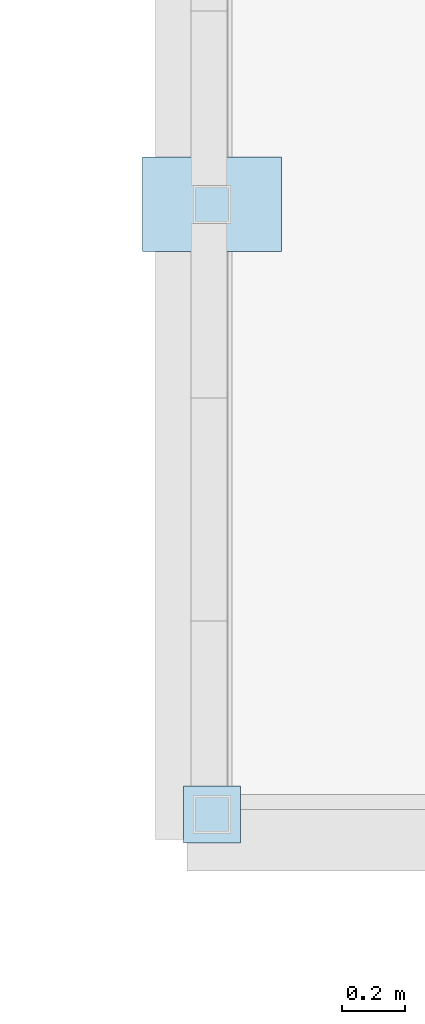
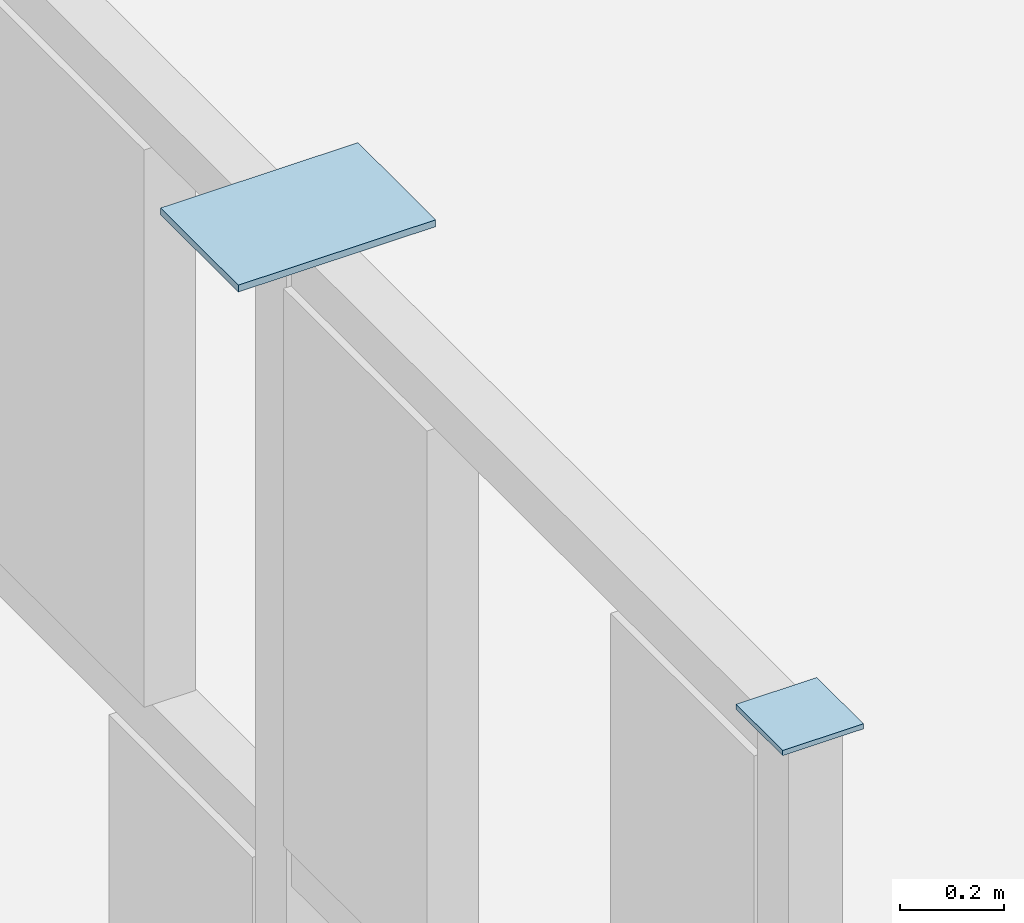
# One storey, part 94 of 138: 2 plates.
"""IFC4 building model written with IfcOpenShell, lengths in metres."""

from ifc_helpers import new_model, si_unit, direction, frame, origin, origin_2d, place, context, subcontext, project, spatial, rectangle, extrude, material, layer, layer_set, type_object, element, save


model = new_model("IFC4")

# Units and contexts
model_context = context("Model", 3, precision=1e-05, world=origin(), true_north=direction((0.0, 1.0)))
body_context = subcontext(model_context, "Body", "Model", "MODEL_VIEW")
ifc_project = project(units=[si_unit("LENGTHUNIT", "METRE"), si_unit("AREAUNIT", "SQUARE_METRE"), si_unit("VOLUMEUNIT", "CUBIC_METRE"), si_unit("PLANEANGLEUNIT", "RADIAN"), si_unit("MASSUNIT", "GRAM", prefix="KILO")], contexts=[model_context])

# Site, building, storey
site_placement = place(None, origin())
site = spatial("IfcSite", under=ifc_project, at=site_placement, CompositionType="ELEMENT")
building_placement = place(site_placement, origin())
building = spatial("IfcBuilding", under=site, at=building_placement, Name="Celorna Specialist Clinic", CompositionType="ELEMENT")
storey_placement = place(building_placement, frame((0.0, 0.0, 4.800048828125)))
storey = spatial("IfcBuildingStorey", under=building, at=storey_placement, Name="L01", CompositionType="ELEMENT", Elevation=4.800048828125)

# Plates
ifc_material = material(Name="Steel S355", Category="steel")
ifc_layer_1 = layer(ifc_material, 0.011962890625, Name="Steel S355")
ifc_layer_set_1 = layer_set([ifc_layer_1], Name="Steel S355")
plate_type_1 = type_object("IfcPlateType", Name="EP-06", PredefinedType="SHEET", material=ifc_layer_set_1)
plate_1_placement = place(storey_placement, frame((124.8798828125, 60.080078125, 4.33984375), z_axis=(0.0, 0.0, 1.0), x_axis=(0.0, 1.0, 0.0)))
element("IfcPlate", 1, at=plate_1_placement, inside=storey, type_object=plate_type_1, Name="Screen post cap plate EP-06 #1899", PredefinedType="SHEET", context=body_context, shape_type="SweptSolid", body=[
    extrude(rectangle(XDim=0.179931640625, YDim=0.179931640625, at=origin_2d()), origin(), (0.0, 0.0, 1.0), 0.011962890625),
])
ifc_layer_2 = layer(ifc_material, 0.01611328125, Name="Steel S355")
ifc_layer_set_2 = layer_set([ifc_layer_2], Name="Steel S355")
plate_type_2 = type_object("IfcPlateType", Name="EP-07", PredefinedType="SHEET", material=ifc_layer_set_2)
plate_2_placement = place(storey_placement, frame((124.8798828125, 62.0166015625, 4.33984375), z_axis=(0.0, 0.0, 1.0), x_axis=(0.0, 1.0, 0.0)))
element("IfcPlate", 2, at=plate_2_placement, inside=storey, type_object=plate_type_2, Name="Screen post cap plate EP-07 #1900", PredefinedType="SHEET", context=body_context, shape_type="SweptSolid", body=[
    extrude(rectangle(XDim=0.300048828125, YDim=0.43994140625, at=origin_2d()), origin(), (0.0, 0.0, 1.0), 0.01611328125),
])

save(model, "model.ifc")
